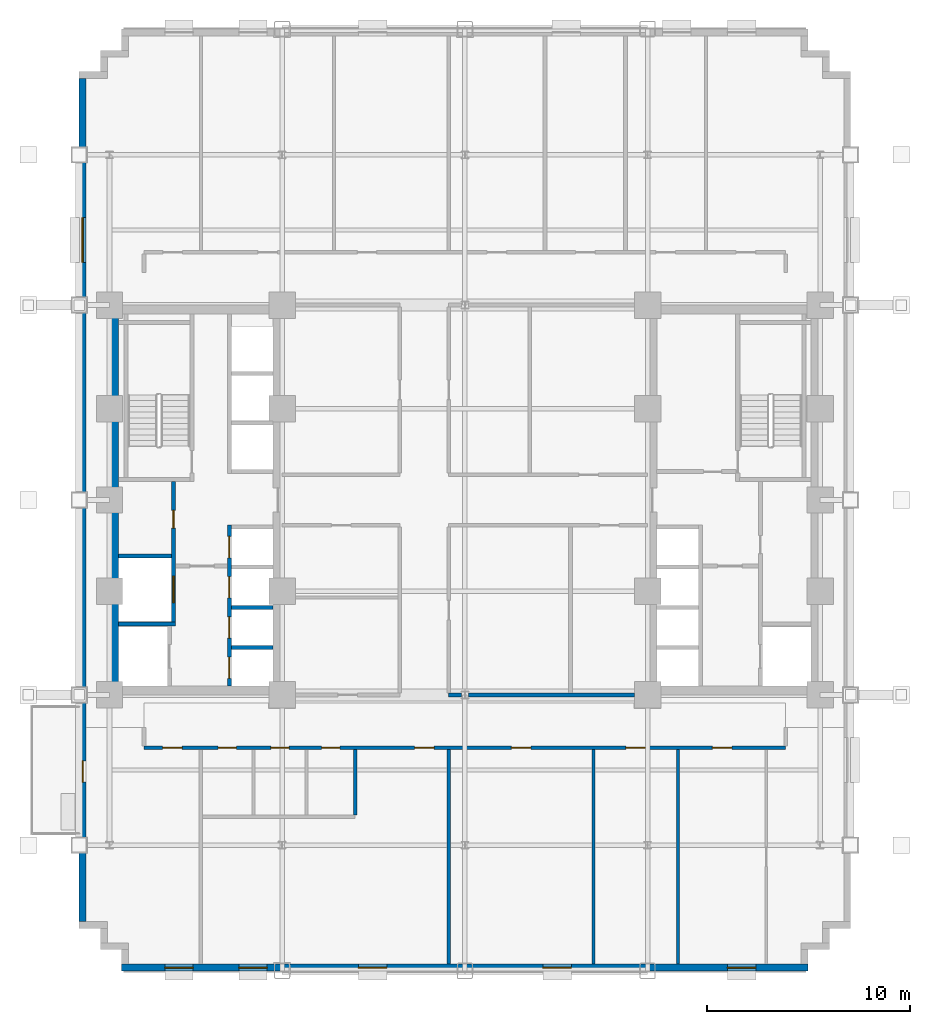
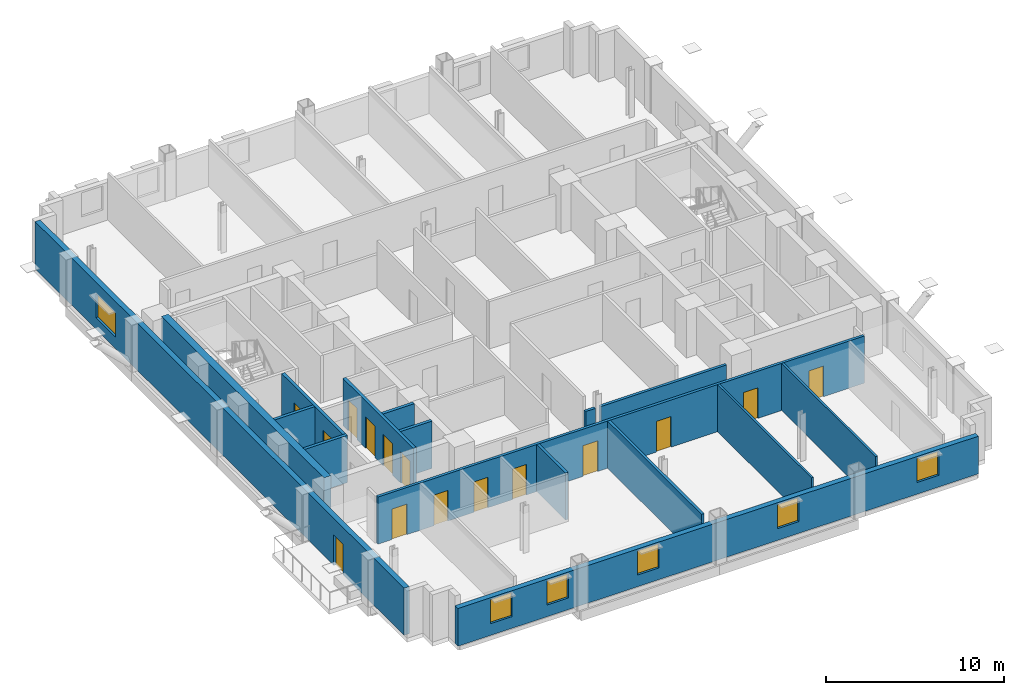
# One storey, part 5 of 12: 16 walls, 15 doors, 6 windows, 21 openings.
"""IFC4 building model written with IfcOpenShell, lengths in metres."""

from ifc_helpers import new_model, si_unit, direction, frame, frame_2d, origin, place, context, subcontext, project, spatial, rectangle, extrude, source, transform, mapped, material, layer, layer_set, type_object, type_shapes, element, fill, save


model = new_model("IFC4")

# Units and contexts
model_context = context("Model", 3, precision=1e-05, world=origin(), true_north=direction((0.0, 1.0)))
body_context = subcontext(model_context, "Body", "Model", "MODEL_VIEW")
ifc_project = project(units=[si_unit("LENGTHUNIT", "METRE"), si_unit("AREAUNIT", "SQUARE_METRE"), si_unit("VOLUMEUNIT", "CUBIC_METRE"), si_unit("PLANEANGLEUNIT", "RADIAN"), si_unit("MASSUNIT", "GRAM", prefix="KILO")], contexts=[model_context])

# Site, building, storey
site_placement = place(None, origin())
site = spatial("IfcSite", under=ifc_project, at=site_placement, CompositionType="ELEMENT")
building_placement = place(site_placement, origin())
building = spatial("IfcBuilding", under=site, at=building_placement, Name="Nuvemarco Arch Tower", CompositionType="ELEMENT")
storey_placement = place(building_placement, frame((0.0, 0.0, 53.14990234375)))
storey = spatial("IfcBuildingStorey", under=building, at=storey_placement, Name="L13", CompositionType="ELEMENT", Elevation=53.14990234375)

# Wall, openings, windows
ifc_material_1 = material(Name="Precast concrete C45/55", Category="concrete")
ifc_layer_1 = layer(ifc_material_1, 0.340087890625, Name="EW-LOW-340")
ifc_layer_set_1 = layer_set([ifc_layer_1], Name="Precast concrete C45/55")
wall_type_1 = type_object("IfcWallType", Name="EW-LOW-340", PredefinedType="STANDARD", material=ifc_layer_set_1)
wall_1_placement = place(storey_placement, frame((-16.89990234375, -23.030029296875, 0.0), z_axis=(0.0, 0.0, 1.0), x_axis=(1.0, 0.0, 0.0)))
wall_1 = element("IfcWall", 1, at=wall_1_placement, inside=storey, type_object=wall_type_1, Name="L13 exterior precast facade wall 1", PredefinedType="STANDARD", context=body_context, shape_type="SweptSolid", body=[
    extrude(rectangle(XDim=33.7998046875, YDim=0.340087890625, at=frame_2d((16.89990234375, 0.0))), origin(), (0.0, 0.0, 1.0), 2.585205078125),
])
opening_1_placement = place(wall_1_placement, frame((2.121337890625, 0.0, 0.800048828125)))
opening_1 = element("IfcOpeningElement", 2, at=opening_1_placement, cuts=wall_1, Name="Opening WN-4", PredefinedType="OPENING", context=body_context, shape_type="SweptSolid", body=[
    extrude(rectangle(XDim=1.39990234375, YDim=1.64990234375, at=frame_2d((0.699951171875, 0.824951171875))), frame((0.0, 0.179931640625, 0.0), z_axis=(0.0, -1.0, 0.0), x_axis=(1.0, 0.0, 0.0)), (0.0, 0.0, 1.0), 0.360107421875),
])
opening_2_placement = place(wall_1_placement, frame((5.764404296875, 0.0, 0.800048828125)))
opening_2 = element("IfcOpeningElement", 3, at=opening_2_placement, cuts=wall_1, Name="Opening WN-4", PredefinedType="OPENING", context=body_context, shape_type="SweptSolid", body=[
    extrude(rectangle(XDim=1.39990234375, YDim=1.64990234375, at=frame_2d((0.699951171875, 0.824951171875))), frame((0.0, 0.179931640625, 0.0), z_axis=(0.0, -1.0, 0.0), x_axis=(1.0, 0.0, 0.0)), (0.0, 0.0, 1.0), 0.360107421875),
])
opening_3_placement = place(wall_1_placement, frame((11.656982421875, 0.0, 0.800048828125)))
opening_3 = element("IfcOpeningElement", 4, at=opening_3_placement, cuts=wall_1, Name="Opening WN-4", PredefinedType="OPENING", context=body_context, shape_type="SweptSolid", body=[
    extrude(rectangle(XDim=1.39990234375, YDim=1.64990234375, at=frame_2d((0.699951171875, 0.824951171875))), frame((0.0, 0.179931640625, 0.0), z_axis=(0.0, -1.0, 0.0), x_axis=(1.0, 0.0, 0.0)), (0.0, 0.0, 1.0), 0.360107421875),
])
opening_4_placement = place(wall_1_placement, frame((20.742919921875, 0.0, 0.800048828125)))
opening_4 = element("IfcOpeningElement", 5, at=opening_4_placement, cuts=wall_1, Name="Opening WN-4", PredefinedType="OPENING", context=body_context, shape_type="SweptSolid", body=[
    extrude(rectangle(XDim=1.39990234375, YDim=1.64990234375, at=frame_2d((0.699951171875, 0.824951171875))), frame((0.0, 0.179931640625, 0.0), z_axis=(0.0, -1.0, 0.0), x_axis=(1.0, 0.0, 0.0)), (0.0, 0.0, 1.0), 0.360107421875),
])
opening_5_placement = place(wall_1_placement, frame((29.82861328125, 0.0, 0.800048828125)))
opening_5 = element("IfcOpeningElement", 6, at=opening_5_placement, cuts=wall_1, Name="Opening WN-4", PredefinedType="OPENING", context=body_context, shape_type="SweptSolid", body=[
    extrude(rectangle(XDim=1.39990234375, YDim=1.64990234375, at=frame_2d((0.699951171875, 0.824951171875))), frame((0.0, 0.179931640625, 0.0), z_axis=(0.0, -1.0, 0.0), x_axis=(1.0, 0.0, 0.0)), (0.0, 0.0, 1.0), 0.360107421875),
])
ifc_material_2 = material(Name="Insulated solar-control glass", Category="glass")
window_type_1 = type_object("IfcWindowType", Name="WN-LOW-1400x1650", PartitioningType="SINGLE_PANEL", PredefinedType="WINDOW", material=ifc_material_2)
shared_shape_1 = source(origin(), body_context, "Body", "SweptSolid", [
    extrude(rectangle(XDim=1.39990234375, YDim=1.64990234375, at=frame_2d((0.699951171875, 0.824951171875))), frame((0.0, 0.030029296875, 0.0), z_axis=(0.0, -1.0, 0.0), x_axis=(1.0, 0.0, 0.0)), (0.0, 0.0, 1.0), 0.06005859375),
])
type_shapes(window_type_1, [shared_shape_1])
window_1_placement = place(opening_1_placement, origin())
window_1 = element("IfcWindow", 7, at=window_1_placement, inside=storey, type_object=window_type_1, Name="L13 punched facade window 1", OverallHeight=1.64990234375, OverallWidth=1.39990234375, PartitioningType="SINGLE_PANEL", PredefinedType="WINDOW", context=body_context, shape_type="MappedRepresentation", body=[
    mapped(shared_shape_1, transform((0.0, 0.0, 0.0), scale=1.0)),
])
fill(opening_1, window_1)
window_2_placement = place(opening_2_placement, origin())
window_2 = element("IfcWindow", 8, at=window_2_placement, inside=storey, type_object=window_type_1, Name="L13 punched facade window 2", OverallHeight=1.64990234375, OverallWidth=1.39990234375, PartitioningType="SINGLE_PANEL", PredefinedType="WINDOW", context=body_context, shape_type="MappedRepresentation", body=[
    mapped(shared_shape_1, transform((0.0, 0.0, 0.0), scale=1.0)),
])
fill(opening_2, window_2)
window_3_placement = place(opening_3_placement, origin())
window_3 = element("IfcWindow", 9, at=window_3_placement, inside=storey, type_object=window_type_1, Name="L13 punched facade window 3", OverallHeight=1.64990234375, OverallWidth=1.39990234375, PartitioningType="SINGLE_PANEL", PredefinedType="WINDOW", context=body_context, shape_type="MappedRepresentation", body=[
    mapped(shared_shape_1, transform((0.0, 0.0, 0.0), scale=1.0)),
])
fill(opening_3, window_3)
window_4_placement = place(opening_4_placement, origin())
window_4 = element("IfcWindow", 10, at=window_4_placement, inside=storey, type_object=window_type_1, Name="L13 punched facade window 5", OverallHeight=1.64990234375, OverallWidth=1.39990234375, PartitioningType="SINGLE_PANEL", PredefinedType="WINDOW", context=body_context, shape_type="MappedRepresentation", body=[
    mapped(shared_shape_1, transform((0.0, 0.0, 0.0), scale=1.0)),
])
fill(opening_4, window_4)
window_5_placement = place(opening_5_placement, origin())
window_5 = element("IfcWindow", 11, at=window_5_placement, inside=storey, type_object=window_type_1, Name="L13 punched facade window 7", OverallHeight=1.64990234375, OverallWidth=1.39990234375, PartitioningType="SINGLE_PANEL", PredefinedType="WINDOW", context=body_context, shape_type="MappedRepresentation", body=[
    mapped(shared_shape_1, transform((0.0, 0.0, 0.0), scale=1.0)),
])
fill(opening_5, window_5)

# Wall, openings, door, window
wall_2_placement = place(storey_placement, frame((-18.830078125, -20.763916015625, 0.0), z_axis=(0.0, 0.0, 1.0), x_axis=(0.0, 1.0, 0.0)))
wall_2 = element("IfcWall", 12, at=wall_2_placement, inside=storey, type_object=wall_type_1, Name="L13 exterior precast facade wall 16", PredefinedType="STANDARD", context=body_context, shape_type="SweptSolid", body=[
    extrude(rectangle(XDim=41.52783203125, YDim=0.340087890625, at=frame_2d((20.763916015625, 0.0))), origin(), (0.0, 0.0, 1.0), 3.239990234375),
])
opening_6_placement = place(wall_2_placement, frame((6.864013671875, 0.0, 0.0)))
opening_6 = element("IfcOpeningElement", 13, at=opening_6_placement, cuts=wall_2, Name="Opening ED-5", PredefinedType="OPENING", context=body_context, shape_type="SweptSolid", body=[
    extrude(rectangle(XDim=1.050048828125, YDim=2.10009765625, at=frame_2d((0.52490234375, 1.050048828125))), frame((0.0, 0.179931640625, 0.0), z_axis=(0.0, -1.0, 0.0), x_axis=(1.0, 0.0, 0.0)), (0.0, 0.0, 1.0), 0.360107421875),
])
opening_7_placement = place(wall_2_placement, frame((32.466552734375, 0.0, 0.800048828125)))
opening_7 = element("IfcOpeningElement", 14, at=opening_7_placement, cuts=wall_2, Name="Opening WN-3", PredefinedType="OPENING", context=body_context, shape_type="SweptSolid", body=[
    extrude(rectangle(XDim=2.199951171875, YDim=1.64990234375, at=frame_2d((1.10009765625, 0.824951171875))), frame((0.0, 0.179931640625, 0.0), z_axis=(0.0, -1.0, 0.0), x_axis=(1.0, 0.0, 0.0)), (0.0, 0.0, 1.0), 0.360107421875),
])
ifc_material_3 = material(Name="Anodised bronze and laminated glass", Category="glass")
door_type_1 = type_object("IfcDoorType", Name="DR-EXT-TERR", OperationType="NOTDEFINED", PredefinedType="DOOR", material=ifc_material_3)
shared_shape_2 = source(origin(), body_context, "Body", "SweptSolid", [
    extrude(rectangle(XDim=1.050048828125, YDim=2.10009765625, at=frame_2d((0.52490234375, 1.050048828125))), frame((0.0, 0.02490234375, 0.0), z_axis=(0.0, -1.0, 0.0), x_axis=(1.0, 0.0, 0.0)), (0.0, 0.0, 1.0), 0.050048828125),
])
type_shapes(door_type_1, [shared_shape_2])
door_1_placement = place(opening_6_placement, origin())
door_1 = element("IfcDoor", 15, at=door_1_placement, inside=storey, type_object=door_type_1, Name="L13 spiral terrace access door", OperationType="SINGLE_SWING_LEFT", OverallHeight=2.10009765625, OverallWidth=1.050048828125, PredefinedType="DOOR", context=body_context, shape_type="MappedRepresentation", body=[
    mapped(shared_shape_2, transform((0.0, 0.0, 0.0), scale=1.0)),
])
fill(opening_6, door_1)
window_type_2 = type_object("IfcWindowType", Name="WN-LOW-2200x1650", PartitioningType="DOUBLE_PANEL_VERTICAL", PredefinedType="WINDOW", material=ifc_material_2)
shared_shape_3 = source(origin(), body_context, "Body", "SweptSolid", [
    extrude(rectangle(XDim=2.199951171875, YDim=1.64990234375, at=frame_2d((1.10009765625, 0.824951171875))), frame((0.0, 0.030029296875, 0.0), z_axis=(0.0, -1.0, 0.0), x_axis=(1.0, 0.0, 0.0)), (0.0, 0.0, 1.0), 0.06005859375),
])
type_shapes(window_type_2, [shared_shape_3])
window_6_placement = place(opening_7_placement, origin())
window_6 = element("IfcWindow", 16, at=window_6_placement, inside=storey, type_object=window_type_2, Name="L13 punched facade window 7", OverallHeight=1.64990234375, OverallWidth=2.199951171875, PartitioningType="SINGLE_PANEL", PredefinedType="WINDOW", context=body_context, shape_type="MappedRepresentation", body=[
    mapped(shared_shape_3, transform((0.0, 0.0, 0.0), scale=1.0)),
])
fill(opening_7, window_6)

# Wall
ifc_material_4 = material(Name="Concrete C60/75", Category="concrete")
ifc_layer_2 = layer(ifc_material_4, 0.449951171875, Name="WL-CORE-450")
ifc_layer_set_2 = layer_set([ifc_layer_2], Name="Concrete C60/75")
wall_type_2 = type_object("IfcWallType", Name="WL-CORE-450", PredefinedType="SHEAR", material=ifc_layer_set_2)
wall_3_placement = place(storey_placement, frame((-17.27490234375, -9.155029296875, 0.0), z_axis=(0.0, 0.0, 1.0), x_axis=(0.0, 1.0, 0.0)))
element("IfcWall", 17, at=wall_3_placement, inside=storey, type_object=wall_type_2, Name="L13 W-core shear wall W", PredefinedType="SHEAR", context=body_context, shape_type="SweptSolid", body=[
    extrude(rectangle(XDim=18.31005859375, YDim=0.449951171875, at=frame_2d((9.155029296875, 0.0))), origin(), (0.0, 0.0, 1.0), 3.25),
])

# Wall, openings, doors
ifc_material_5 = material(Name="Fire-rated gypsum drywall partition")
ifc_layer_3 = layer(ifc_material_5, 0.179931640625, Name="WL-CORR-180")
ifc_layer_set_3 = layer_set([ifc_layer_3], Name="Fire-rated gypsum drywall partition")
wall_type_3 = type_object("IfcWallType", Name="WL-CORR-180", PredefinedType="PARTITIONING", material=ifc_layer_set_3)
wall_4_placement = place(storey_placement, frame((-15.800048828125, -12.199951171875, 0.0), z_axis=(0.0, 0.0, 1.0), x_axis=(1.0, 0.0, 0.0)))
wall_4 = element("IfcWall", 18, at=wall_4_placement, inside=storey, type_object=wall_type_3, Name="L13 interior wall IW-L13-002", PredefinedType="PARTITIONING", context=body_context, shape_type="SweptSolid", body=[
    extrude(rectangle(XDim=31.60009765625, YDim=0.179931640625, at=frame_2d((15.800048828125, 0.0))), origin(), (0.0, 0.0, 1.0), 3.239990234375),
])
opening_8_placement = place(wall_4_placement, frame((18.0849609375, 0.0, 0.0)))
opening_8 = element("IfcOpeningElement", 19, at=opening_8_placement, cuts=wall_4, Name="Opening FD-5", PredefinedType="OPENING", context=body_context, shape_type="SweptSolid", body=[
    extrude(rectangle(XDim=0.9599609375, YDim=2.10009765625, at=frame_2d((0.47998046875, 1.050048828125))), frame((0.0, 0.099853515625, 0.0), z_axis=(0.0, -1.0, 0.0), x_axis=(1.0, 0.0, 0.0)), (0.0, 0.0, 1.0), 0.199951171875),
])
opening_9_placement = place(wall_4_placement, frame((27.985107421875, 0.0, 0.0)))
opening_9 = element("IfcOpeningElement", 20, at=opening_9_placement, cuts=wall_4, Name="Opening FD-5", PredefinedType="OPENING", context=body_context, shape_type="SweptSolid", body=[
    extrude(rectangle(XDim=0.9599609375, YDim=2.10009765625, at=frame_2d((0.47998046875, 1.050048828125))), frame((0.0, 0.099853515625, 0.0), z_axis=(0.0, -1.0, 0.0), x_axis=(1.0, 0.0, 0.0)), (0.0, 0.0, 1.0), 0.199951171875),
])
opening_10_placement = place(wall_4_placement, frame((23.72998046875, 0.0, 0.0)))
opening_10 = element("IfcOpeningElement", 21, at=opening_10_placement, cuts=wall_4, Name="Opening FD-5", PredefinedType="OPENING", context=body_context, shape_type="SweptSolid", body=[
    extrude(rectangle(XDim=0.9599609375, YDim=2.10009765625, at=frame_2d((0.47998046875, 1.050048828125))), frame((0.0, 0.099853515625, 0.0), z_axis=(0.0, -1.0, 0.0), x_axis=(1.0, 0.0, 0.0)), (0.0, 0.0, 1.0), 0.199951171875),
])
opening_11_placement = place(wall_4_placement, frame((0.919921875, 0.0, 0.0)))
opening_11 = element("IfcOpeningElement", 22, at=opening_11_placement, cuts=wall_4, Name="Opening FD-5", PredefinedType="OPENING", context=body_context, shape_type="SweptSolid", body=[
    extrude(rectangle(XDim=0.9599609375, YDim=2.10009765625, at=frame_2d((0.47998046875, 1.050048828125))), frame((0.0, 0.099853515625, 0.0), z_axis=(0.0, -1.0, 0.0), x_axis=(1.0, 0.0, 0.0)), (0.0, 0.0, 1.0), 0.199951171875),
])
opening_12_placement = place(wall_4_placement, frame((6.25, 0.0, 0.0)))
opening_12 = element("IfcOpeningElement", 23, at=opening_12_placement, cuts=wall_4, Name="Opening ID-3", PredefinedType="OPENING", context=body_context, shape_type="SweptSolid", body=[
    extrude(rectangle(XDim=0.89990234375, YDim=2.10009765625, at=frame_2d((0.449951171875, 1.050048828125))), frame((0.0, 0.099853515625, 0.0), z_axis=(0.0, -1.0, 0.0), x_axis=(1.0, 0.0, 0.0)), (0.0, 0.0, 1.0), 0.199951171875),
])
opening_13_placement = place(wall_4_placement, frame((3.64990234375, 0.0, 0.0)))
opening_13 = element("IfcOpeningElement", 24, at=opening_13_placement, cuts=wall_4, Name="Opening ID-3", PredefinedType="OPENING", context=body_context, shape_type="SweptSolid", body=[
    extrude(rectangle(XDim=0.89990234375, YDim=2.10009765625, at=frame_2d((0.449951171875, 1.050048828125))), frame((0.0, 0.099853515625, 0.0), z_axis=(0.0, -1.0, 0.0), x_axis=(1.0, 0.0, 0.0)), (0.0, 0.0, 1.0), 0.199951171875),
])
opening_14_placement = place(wall_4_placement, frame((13.320068359375, 0.0, 0.0)))
opening_14 = element("IfcOpeningElement", 25, at=opening_14_placement, cuts=wall_4, Name="Opening FD-5", PredefinedType="OPENING", context=body_context, shape_type="SweptSolid", body=[
    extrude(rectangle(XDim=0.9599609375, YDim=2.10009765625, at=frame_2d((0.47998046875, 1.050048828125))), frame((0.0, 0.099853515625, 0.0), z_axis=(0.0, -1.0, 0.0), x_axis=(1.0, 0.0, 0.0)), (0.0, 0.0, 1.0), 0.199951171875),
])
opening_15_placement = place(wall_4_placement, frame((8.75, 0.0, 0.0)))
opening_15 = element("IfcOpeningElement", 26, at=opening_15_placement, cuts=wall_4, Name="Opening ID-3", PredefinedType="OPENING", context=body_context, shape_type="SweptSolid", body=[
    extrude(rectangle(XDim=0.89990234375, YDim=2.10009765625, at=frame_2d((0.449951171875, 1.050048828125))), frame((0.0, 0.099853515625, 0.0), z_axis=(0.0, -1.0, 0.0), x_axis=(1.0, 0.0, 0.0)), (0.0, 0.0, 1.0), 0.199951171875),
])
ifc_material_6 = material(Name="Timber fire door", Category="wood")
door_type_2 = type_object("IfcDoorType", Name="DR-CORR-FD", OperationType="NOTDEFINED", PredefinedType="DOOR", material=ifc_material_6)
shared_shape_4 = source(origin(), body_context, "Body", "SweptSolid", [
    extrude(rectangle(XDim=0.9599609375, YDim=2.10009765625, at=frame_2d((0.47998046875, 1.050048828125))), frame((0.0, 0.02490234375, 0.0), z_axis=(0.0, -1.0, 0.0), x_axis=(1.0, 0.0, 0.0)), (0.0, 0.0, 1.0), 0.050048828125),
])
type_shapes(door_type_2, [shared_shape_4])
door_2_placement = place(opening_8_placement, origin())
door_2 = element("IfcDoor", 27, at=door_2_placement, inside=storey, type_object=door_type_2, Name="L13 door DR-L13-S_3", OperationType="SINGLE_SWING_LEFT", OverallHeight=2.10009765625, OverallWidth=0.9599609375, PredefinedType="DOOR", context=body_context, shape_type="MappedRepresentation", body=[
    mapped(shared_shape_4, transform((0.0, 0.0, 0.0), scale=1.0)),
])
fill(opening_8, door_2)
door_3_placement = place(opening_9_placement, origin())
door_3 = element("IfcDoor", 28, at=door_3_placement, inside=storey, type_object=door_type_2, Name="L13 door DR-L13-S_5", OperationType="SINGLE_SWING_LEFT", OverallHeight=2.10009765625, OverallWidth=0.9599609375, PredefinedType="DOOR", context=body_context, shape_type="MappedRepresentation", body=[
    mapped(shared_shape_4, transform((0.0, 0.0, 0.0), scale=1.0)),
])
fill(opening_9, door_3)
door_4_placement = place(opening_10_placement, origin())
door_4 = element("IfcDoor", 29, at=door_4_placement, inside=storey, type_object=door_type_2, Name="L13 door DR-L13-S_4", OperationType="SINGLE_SWING_RIGHT", OverallHeight=2.10009765625, OverallWidth=0.9599609375, PredefinedType="DOOR", context=body_context, shape_type="MappedRepresentation", body=[
    mapped(shared_shape_4, transform((0.0, 0.0, 0.0), scale=1.0)),
])
fill(opening_10, door_4)
door_5_placement = place(opening_11_placement, origin())
door_5 = element("IfcDoor", 30, at=door_5_placement, inside=storey, type_object=door_type_2, Name="L13 door DR-L13-S_1", OperationType="SINGLE_SWING_LEFT", OverallHeight=2.10009765625, OverallWidth=0.9599609375, PredefinedType="DOOR", context=body_context, shape_type="MappedRepresentation", body=[
    mapped(shared_shape_4, transform((0.0, 0.0, 0.0), scale=1.0)),
])
fill(opening_11, door_5)
door_6_placement = place(opening_14_placement, origin())
door_6 = element("IfcDoor", 31, at=door_6_placement, inside=storey, type_object=door_type_2, Name="L13 door DR-L13-S_2", OperationType="SINGLE_SWING_RIGHT", OverallHeight=2.10009765625, OverallWidth=0.9599609375, PredefinedType="DOOR", context=body_context, shape_type="MappedRepresentation", body=[
    mapped(shared_shape_4, transform((0.0, 0.0, 0.0), scale=1.0)),
])
fill(opening_14, door_6)
ifc_material_7 = material(Name="Veneered oak timber fire door", Category="wood")
door_type_3 = type_object("IfcDoorType", Name="DR-WC-ACC", OperationType="NOTDEFINED", PredefinedType="DOOR", material=ifc_material_7)
shared_shape_5 = source(origin(), body_context, "Body", "SweptSolid", [
    extrude(rectangle(XDim=0.89990234375, YDim=2.10009765625, at=frame_2d((0.449951171875, 1.050048828125))), frame((0.0, 0.02490234375, 0.0), z_axis=(0.0, -1.0, 0.0), x_axis=(1.0, 0.0, 0.0)), (0.0, 0.0, 1.0), 0.050048828125),
])
type_shapes(door_type_3, [shared_shape_5])
door_7_placement = place(opening_12_placement, origin())
door_7 = element("IfcDoor", 32, at=door_7_placement, inside=storey, type_object=door_type_3, Name="L13 door DR-L13-WC_F", OperationType="SINGLE_SWING_RIGHT", OverallHeight=2.10009765625, OverallWidth=0.89990234375, PredefinedType="DOOR", context=body_context, shape_type="MappedRepresentation", body=[
    mapped(shared_shape_5, transform((0.0, 0.0, 0.0), scale=1.0)),
])
fill(opening_12, door_7)
door_8_placement = place(opening_13_placement, origin())
door_8 = element("IfcDoor", 33, at=door_8_placement, inside=storey, type_object=door_type_3, Name="L13 door DR-L13-WC_M", OperationType="SINGLE_SWING_LEFT", OverallHeight=2.10009765625, OverallWidth=0.89990234375, PredefinedType="DOOR", context=body_context, shape_type="MappedRepresentation", body=[
    mapped(shared_shape_5, transform((0.0, 0.0, 0.0), scale=1.0)),
])
fill(opening_13, door_8)
door_9_placement = place(opening_15_placement, origin())
door_9 = element("IfcDoor", 34, at=door_9_placement, inside=storey, type_object=door_type_3, Name="L13 door DR-L13-WC_ACC", OperationType="SINGLE_SWING_LEFT", OverallHeight=2.10009765625, OverallWidth=0.89990234375, PredefinedType="DOOR", context=body_context, shape_type="MappedRepresentation", body=[
    mapped(shared_shape_5, transform((0.0, 0.0, 0.0), scale=1.0)),
])
fill(opening_15, door_9)

# Walls
wall_5_placement = place(storey_placement, frame((-0.800048828125, -9.60009765625, 0.0), z_axis=(0.0, 0.0, 1.0), x_axis=(1.0, 0.0, 0.0)))
element("IfcWall", 35, at=wall_5_placement, inside=storey, type_object=wall_type_3, Name="L13 interior wall IW-L13-004", PredefinedType="PARTITIONING", context=body_context, shape_type="SweptSolid", body=[
    extrude(rectangle(XDim=0.6240234375, YDim=0.179931640625, at=frame_2d((0.31201171875, 0.0))), origin(), (0.0, 0.0, 1.0), 2.28515625),
])
wall_6_placement = place(storey_placement, frame((0.176025390625, -9.60009765625, 0.0), z_axis=(0.0, 0.0, 1.0), x_axis=(1.0, 0.0, 0.0)))
element("IfcWall", 36, at=wall_6_placement, inside=storey, type_object=wall_type_3, Name="L13 interior wall IW-L13-005", PredefinedType="PARTITIONING", context=body_context, shape_type="SweptSolid", body=[
    extrude(rectangle(XDim=8.177978515625, YDim=0.179931640625, at=frame_2d((4.0888671875, 0.0))), origin(), (0.0, 0.0, 1.0), 2.28515625),
])
wall_7_placement = place(storey_placement, frame((-5.39990234375, -15.513916015625, 0.0), z_axis=(0.0, 0.0, 1.0), x_axis=(0.0, 1.0, 0.0)))
element("IfcWall", 37, at=wall_7_placement, inside=storey, type_object=wall_type_3, Name="L13 interior wall IW-L13-022", PredefinedType="PARTITIONING", context=body_context, shape_type="SweptSolid", body=[
    extrude(rectangle(XDim=3.22802734375, YDim=0.179931640625, at=frame_2d((1.614013671875, 0.0))), origin(), (0.0, 0.0, 1.0), 3.239990234375),
])
wall_8_placement = place(storey_placement, frame((-0.800048828125, -22.860107421875, 0.0), z_axis=(0.0, 0.0, 1.0), x_axis=(0.0, 1.0, 0.0)))
element("IfcWall", 38, at=wall_8_placement, inside=storey, type_object=wall_type_3, Name="L13 interior wall IW-L13-025", PredefinedType="PARTITIONING", context=body_context, shape_type="SweptSolid", body=[
    extrude(rectangle(XDim=10.57421875, YDim=0.179931640625, at=frame_2d((5.287109375, 0.0))), origin(), (0.0, 0.0, 1.0), 3.239990234375),
])
ifc_material_8 = material(Name="Gypsum plasterboard partition")
ifc_layer_4 = layer(ifc_material_8, 0.139892578125, Name="WL-ROOM-140")
ifc_layer_set_4 = layer_set([ifc_layer_4], Name="Gypsum plasterboard partition")
wall_type_4 = type_object("IfcWallType", Name="WL-ROOM-140", PredefinedType="PARTITIONING", material=ifc_layer_set_4)
for number, where, z_axis, x_axis, name in (
    (39, (6.330078125, -22.860107421875, 0.0), (0.0, 0.0, 1.0), (0.0, 1.0, 0.0), "L13 interior wall IW-L13-032"),
    (40, (10.489990234375, -22.860107421875, 0.0), (0.0, 0.0, 1.0), (0.0, 1.0, 0.0), "L13 interior wall IW-L13-034"),
):
    element("IfcWall", number, at=place(storey_placement, frame(where, z_axis=z_axis, x_axis=x_axis)), inside=storey, type_object=wall_type_4, Name=name, PredefinedType="PARTITIONING", context=body_context, shape_type="SweptSolid", body=[
        extrude(rectangle(XDim=10.57421875, YDim=0.139892578125, at=frame_2d((5.287109375, 0.0))), origin(), (0.0, 0.0, 1.0), 3.239990234375),
    ])

# Wall, openings, doors
ifc_material_9 = material(Name="Concrete C50/60", Category="concrete")
ifc_layer_5 = layer(ifc_material_9, 0.199951171875, Name="WL-SHAFT-220")
ifc_layer_set_5 = layer_set([ifc_layer_5], Name="Concrete C50/60")
wall_type_5 = type_object("IfcWallType", Name="WL-SHAFT-220", PredefinedType="SHEAR", material=ifc_layer_set_5)
wall_9_placement = place(storey_placement, frame((-14.35009765625, -6.199951171875, 0.0), z_axis=(0.0, 0.0, 1.0), x_axis=(0.0, 1.0, 0.0)))
wall_9 = element("IfcWall", 41, at=wall_9_placement, inside=storey, type_object=wall_type_5, Name="L13 structural shaft wall SW-L13-W-SVE", PredefinedType="SHEAR", context=body_context, shape_type="SweptSolid", body=[
    extrude(rectangle(XDim=7.10498046875, YDim=0.199951171875, at=frame_2d((3.552490234375, 0.0))), origin(), (0.0, 0.0, 1.0), 3.25),
])
opening_16_placement = place(wall_9_placement, frame((5.68994140625, 0.0, 0.0), z_axis=(0.0, 0.0, 1.0), x_axis=(-1.0, 0.0, 0.0)))
opening_16 = element("IfcOpeningElement", 42, at=opening_16_placement, cuts=wall_9, Name="Opening FD-4", PredefinedType="OPENING", context=body_context, shape_type="SweptSolid", body=[
    extrude(rectangle(XDim=0.8798828125, YDim=2.10009765625, at=frame_2d((0.43994140625, 1.050048828125))), frame((0.0, 0.10986328125, 0.0), z_axis=(0.0, -1.0, 0.0), x_axis=(1.0, 0.0, 0.0)), (0.0, 0.0, 1.0), 0.219970703125),
])
opening_17_placement = place(wall_9_placement, frame((1.14990234375, 0.0, 0.0)))
opening_17 = element("IfcOpeningElement", 43, at=opening_17_placement, cuts=wall_9, Name="Opening LD-3", PredefinedType="OPENING", context=body_context, shape_type="SweptSolid", body=[
    extrude(rectangle(XDim=1.300048828125, YDim=2.199951171875, at=frame_2d((0.64990234375, 1.10009765625))), frame((0.0, 0.10986328125, 0.0), z_axis=(0.0, -1.0, 0.0), x_axis=(1.0, 0.0, 0.0)), (0.0, 0.0, 1.0), 0.219970703125),
])
ifc_material_10 = material(Name="Anodised steel fire door", Category="steel")
door_type_4 = type_object("IfcDoorType", Name="DR-RISER-FD", OperationType="NOTDEFINED", PredefinedType="DOOR", material=ifc_material_10)
shared_shape_6 = source(origin(), body_context, "Body", "SweptSolid", [
    extrude(rectangle(XDim=0.8798828125, YDim=2.10009765625, at=frame_2d((0.43994140625, 1.050048828125))), frame((0.0, 0.02490234375, 0.0), z_axis=(0.0, -1.0, 0.0), x_axis=(1.0, 0.0, 0.0)), (0.0, 0.0, 1.0), 0.050048828125),
])
type_shapes(door_type_4, [shared_shape_6])
door_10_placement = place(opening_16_placement, origin())
door_10 = element("IfcDoor", 44, at=door_10_placement, inside=storey, type_object=door_type_4, Name="L13 door FD-L13-WRIS", OperationType="SINGLE_SWING_LEFT", OverallHeight=2.10009765625, OverallWidth=0.8798828125, PredefinedType="DOOR", context=body_context, shape_type="MappedRepresentation", body=[
    mapped(shared_shape_6, transform((0.0, 0.0, 0.0), scale=1.0)),
])
fill(opening_16, door_10)
ifc_material_11 = material(Name="Stainless steel lift door", Category="steel")
door_type_5 = type_object("IfcDoorType", Name="DR-LIFT-SERV", OperationType="DOUBLE_DOOR_SLIDING", PredefinedType="DOOR", material=ifc_material_11)
shared_shape_7 = source(origin(), body_context, "Body", "SweptSolid", [
    extrude(rectangle(XDim=1.300048828125, YDim=2.199951171875, at=frame_2d((0.64990234375, 1.10009765625))), frame((0.0, 0.02490234375, 0.0), z_axis=(0.0, -1.0, 0.0), x_axis=(1.0, 0.0, 0.0)), (0.0, 0.0, 1.0), 0.050048828125),
])
type_shapes(door_type_5, [shared_shape_7])
door_11_placement = place(opening_17_placement, origin())
door_11 = element("IfcDoor", 45, at=door_11_placement, inside=storey, type_object=door_type_5, Name="L13 Lift landing sliding door SVL-1", OperationType="DOUBLE_DOOR_SLIDING", OverallHeight=2.199951171875, OverallWidth=1.300048828125, PredefinedType="DOOR", context=body_context, shape_type="MappedRepresentation", body=[
    mapped(shared_shape_7, transform((0.0, 0.0, 0.0), scale=1.0)),
])
fill(opening_17, door_11)

# Walls
wall_10_placement = place(storey_placement, frame((-17.054931640625, -6.10009765625, 0.0), z_axis=(0.0, 0.0, 1.0), x_axis=(1.0, 0.0, 0.0)))
element("IfcWall", 46, at=wall_10_placement, inside=storey, type_object=wall_type_5, Name="L13 structural shaft wall SW-L13-W-SH1", PredefinedType="SHEAR", context=body_context, shape_type="SweptSolid", body=[
    extrude(rectangle(XDim=2.804931640625, YDim=0.199951171875, at=frame_2d((1.40234375, 0.0))), origin(), (0.0, 0.0, 1.0), 3.25),
])
wall_11_placement = place(storey_placement, frame((-17.054931640625, -2.75, 0.0), z_axis=(0.0, 0.0, 1.0), x_axis=(1.0, 0.0, 0.0)))
element("IfcWall", 47, at=wall_11_placement, inside=storey, type_object=wall_type_5, Name="L13 structural shaft wall SW-L13-W-SH2", PredefinedType="SHEAR", context=body_context, shape_type="SweptSolid", body=[
    extrude(rectangle(XDim=2.60986328125, YDim=0.199951171875, at=frame_2d((1.304931640625, 0.0))), origin(), (0.0, 0.0, 1.0), 3.25),
])

# Wall, openings, doors
wall_12_placement = place(storey_placement, frame((-11.60009765625, -9.155029296875, 0.0), z_axis=(0.0, 0.0, 1.0), x_axis=(0.0, 1.0, 0.0)))
wall_12 = element("IfcWall", 48, at=wall_12_placement, inside=storey, type_object=wall_type_5, Name="L13 structural shaft wall SW-L13-W-PLW", PredefinedType="SHEAR", context=body_context, shape_type="SweptSolid", body=[
    extrude(rectangle(XDim=7.925048828125, YDim=0.199951171875, at=frame_2d((3.96240234375, 0.0))), origin(), (0.0, 0.0, 1.0), 3.25),
])
opening_18_placement = place(wall_12_placement, frame((0.3701171875, 0.0, 0.0)))
opening_18 = element("IfcOpeningElement", 49, at=opening_18_placement, cuts=wall_12, Name="Opening LD-1", PredefinedType="OPENING", context=body_context, shape_type="SweptSolid", body=[
    extrude(rectangle(XDim=1.050048828125, YDim=2.14990234375, at=frame_2d((0.52490234375, 1.074951171875))), frame((0.0, 0.10986328125, 0.0), z_axis=(0.0, -1.0, 0.0), x_axis=(1.0, 0.0, 0.0)), (0.0, 0.0, 1.0), 0.219970703125),
])
opening_19_placement = place(wall_12_placement, frame((2.35009765625, 0.0, 0.0)))
opening_19 = element("IfcOpeningElement", 50, at=opening_19_placement, cuts=wall_12, Name="Opening LD-1", PredefinedType="OPENING", context=body_context, shape_type="SweptSolid", body=[
    extrude(rectangle(XDim=1.050048828125, YDim=2.14990234375, at=frame_2d((0.52490234375, 1.074951171875))), frame((0.0, 0.10986328125, 0.0), z_axis=(0.0, -1.0, 0.0), x_axis=(1.0, 0.0, 0.0)), (0.0, 0.0, 1.0), 0.219970703125),
])
opening_20_placement = place(wall_12_placement, frame((4.330078125, 0.0, 0.0)))
opening_20 = element("IfcOpeningElement", 51, at=opening_20_placement, cuts=wall_12, Name="Opening LD-1", PredefinedType="OPENING", context=body_context, shape_type="SweptSolid", body=[
    extrude(rectangle(XDim=1.050048828125, YDim=2.14990234375, at=frame_2d((0.52490234375, 1.074951171875))), frame((0.0, 0.10986328125, 0.0), z_axis=(0.0, -1.0, 0.0), x_axis=(1.0, 0.0, 0.0)), (0.0, 0.0, 1.0), 0.219970703125),
])
opening_21_placement = place(wall_12_placement, frame((6.31005859375, 0.0, 0.0)))
opening_21 = element("IfcOpeningElement", 52, at=opening_21_placement, cuts=wall_12, Name="Opening LD-1", PredefinedType="OPENING", context=body_context, shape_type="SweptSolid", body=[
    extrude(rectangle(XDim=1.050048828125, YDim=2.14990234375, at=frame_2d((0.52490234375, 1.074951171875))), frame((0.0, 0.10986328125, 0.0), z_axis=(0.0, -1.0, 0.0), x_axis=(1.0, 0.0, 0.0)), (0.0, 0.0, 1.0), 0.219970703125),
])
door_type_6 = type_object("IfcDoorType", Name="DR-LIFT-PASS", OperationType="DOUBLE_DOOR_SLIDING", PredefinedType="DOOR", material=ifc_material_11)
shared_shape_8 = source(origin(), body_context, "Body", "SweptSolid", [
    extrude(rectangle(XDim=1.050048828125, YDim=2.14990234375, at=frame_2d((0.52490234375, 1.074951171875))), frame((0.0, 0.02490234375, 0.0), z_axis=(0.0, -1.0, 0.0), x_axis=(1.0, 0.0, 0.0)), (0.0, 0.0, 1.0), 0.050048828125),
])
type_shapes(door_type_6, [shared_shape_8])
door_12_placement = place(opening_18_placement, origin())
door_12 = element("IfcDoor", 53, at=door_12_placement, inside=storey, type_object=door_type_6, Name="L13 Lift landing sliding door PL-1", OperationType="DOUBLE_DOOR_SLIDING", OverallHeight=2.14990234375, OverallWidth=1.050048828125, PredefinedType="DOOR", context=body_context, shape_type="MappedRepresentation", body=[
    mapped(shared_shape_8, transform((0.0, 0.0, 0.0), scale=1.0)),
])
fill(opening_18, door_12)
door_13_placement = place(opening_19_placement, origin())
door_13 = element("IfcDoor", 54, at=door_13_placement, inside=storey, type_object=door_type_6, Name="L13 Lift landing sliding door PL-2", OperationType="DOUBLE_DOOR_SLIDING", OverallHeight=2.14990234375, OverallWidth=1.050048828125, PredefinedType="DOOR", context=body_context, shape_type="MappedRepresentation", body=[
    mapped(shared_shape_8, transform((0.0, 0.0, 0.0), scale=1.0)),
])
fill(opening_19, door_13)
door_14_placement = place(opening_20_placement, origin())
door_14 = element("IfcDoor", 55, at=door_14_placement, inside=storey, type_object=door_type_6, Name="L13 Lift landing sliding door PL-3", OperationType="DOUBLE_DOOR_SLIDING", OverallHeight=2.14990234375, OverallWidth=1.050048828125, PredefinedType="DOOR", context=body_context, shape_type="MappedRepresentation", body=[
    mapped(shared_shape_8, transform((0.0, 0.0, 0.0), scale=1.0)),
])
fill(opening_20, door_14)
door_15_placement = place(opening_21_placement, origin())
door_15 = element("IfcDoor", 56, at=door_15_placement, inside=storey, type_object=door_type_6, Name="L13 Lift landing sliding door PL-4", OperationType="DOUBLE_DOOR_SLIDING", OverallHeight=2.14990234375, OverallWidth=1.050048828125, PredefinedType="DOOR", context=body_context, shape_type="MappedRepresentation", body=[
    mapped(shared_shape_8, transform((0.0, 0.0, 0.0), scale=1.0)),
])
fill(opening_21, door_15)

# Walls
for number, where, z_axis, x_axis, name in (
    (57, (-11.5048828125, -7.27001953125, 0.0), (0.0, 0.0, 1.0), (1.0, 0.0, 0.0), "L13 structural shaft wall SW-L13-W-PLD1"),
    (58, (-11.5048828125, -5.2900390625, 0.0), (0.0, 0.0, 1.0), (1.0, 0.0, 0.0), "L13 structural shaft wall SW-L13-W-PLD2"),
):
    element("IfcWall", number, at=place(storey_placement, frame(where, z_axis=z_axis, x_axis=x_axis)), inside=storey, type_object=wall_type_5, Name=name, PredefinedType="SHEAR", context=body_context, shape_type="SweptSolid", body=[
        extrude(rectangle(XDim=2.059814453125, YDim=0.199951171875, at=frame_2d((1.02978515625, 0.0))), origin(), (0.0, 0.0, 1.0), 3.25),
    ])

save(model, "model.ifc")
